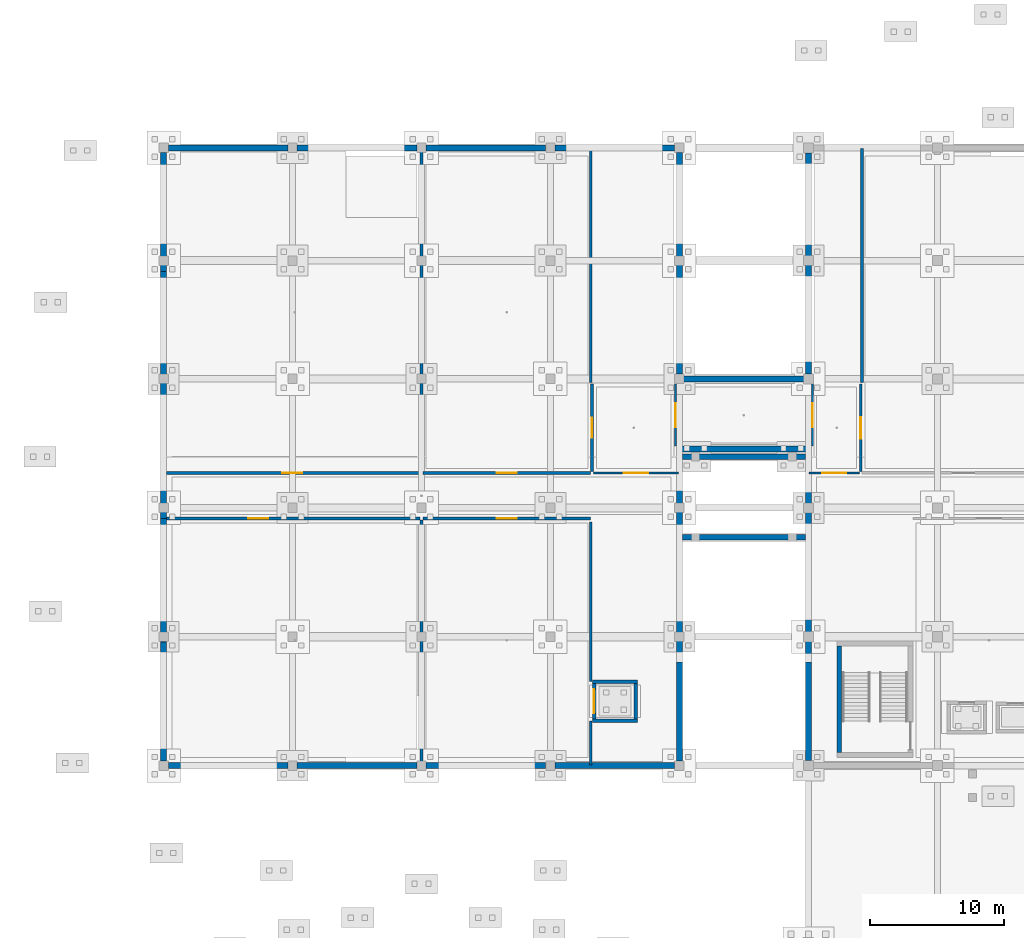
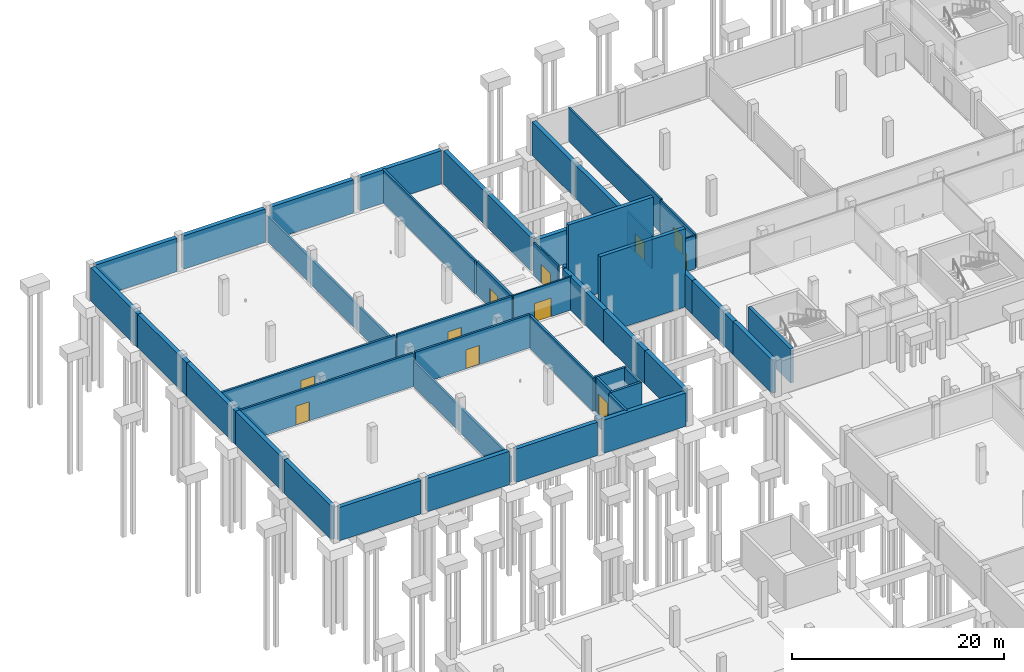
# One storey, part 15 of 31: 48 walls, 11 doors, 11 openings.
"""IFC4 building model written with IfcOpenShell, lengths in metres."""

from ifc_helpers import new_model, si_unit, direction, frame, frame_2d, origin, place, context, subcontext, project, spatial, rectangle, extrude, material, layer, layer_set, type_object, element, fill, save


model = new_model("IFC4")

# Units and contexts
model_context = context("Model", 3, precision=1e-05, world=origin(), true_north=direction((0.0, 1.0)))
body_context = subcontext(model_context, "Body", "Model", "MODEL_VIEW")
ifc_project = project(units=[si_unit("LENGTHUNIT", "METRE"), si_unit("AREAUNIT", "SQUARE_METRE"), si_unit("VOLUMEUNIT", "CUBIC_METRE"), si_unit("PLANEANGLEUNIT", "RADIAN"), si_unit("MASSUNIT", "GRAM", prefix="KILO")], contexts=[model_context])

# Site, building, storey
site_placement = place(None, origin())
site = spatial("IfcSite", under=ifc_project, at=site_placement, CompositionType="ELEMENT")
building_placement = place(site_placement, origin())
building = spatial("IfcBuilding", under=site, at=building_placement, Name="Chalmorin Arch Market", CompositionType="ELEMENT")
storey_placement = place(building_placement, frame((0.0, 0.0, -4.199951171875)))
storey = spatial("IfcBuildingStorey", under=building, at=storey_placement, Name="B1", CompositionType="ELEMENT", Elevation=-4.199951171875)

# Walls
ifc_material_1 = material(Name="Concrete C40/50", Category="concrete")
ifc_layer_1 = layer(ifc_material_1, 0.449951171875)
ifc_layer_set_1 = layer_set([ifc_layer_1], Name="Concrete C40/50")
wall_type_1 = type_object("IfcWallType", Name="BasementFloodwall-450", PredefinedType="SOLIDWALL", material=ifc_layer_set_1)
wall_1_placement = place(storey_placement, frame((0.35009765625, 72.0, 0.0), z_axis=(0.0, 0.0, 1.0), x_axis=(1.0, 0.0, 0.0)))
element("IfcWall", 1, at=wall_1_placement, inside=storey, type_object=wall_type_1, Name="BFW-450-029", PredefinedType="SOLIDWALL", context=body_context, shape_type="SweptSolid", body=[
    extrude(rectangle(XDim=8.89990234375, YDim=0.449951171875, at=frame_2d((4.449951171875, 0.0))), origin(), (0.0, 0.0, 1.0), 3.83984375),
])
wall_2_placement = place(storey_placement, frame((9.949951171875, 72.0, 0.0), z_axis=(0.0, 0.0, 1.0), x_axis=(1.0, 0.0, 0.0)))
element("IfcWall", 2, at=wall_2_placement, inside=storey, type_object=wall_type_1, Name="BFW-450-030", PredefinedType="SOLIDWALL", context=body_context, shape_type="SweptSolid", body=[
    extrude(rectangle(XDim=8.900146484375, YDim=0.449951171875, at=frame_2d((4.4501953125, 0.0))), origin(), (0.0, 0.0, 1.0), 3.83984375),
])
wall_3_placement = place(storey_placement, frame((19.550048828125, 72.0, 0.0), z_axis=(0.0, 0.0, 1.0), x_axis=(1.0, 0.0, 0.0)))
element("IfcWall", 3, at=wall_3_placement, inside=storey, type_object=wall_type_1, Name="BFW-450-031", PredefinedType="SOLIDWALL", context=body_context, shape_type="SweptSolid", body=[
    extrude(rectangle(XDim=8.89990234375, YDim=0.449951171875, at=frame_2d((4.449951171875, 0.0))), origin(), (0.0, 0.0, 1.0), 3.83984375),
])
wall_4_placement = place(storey_placement, frame((29.14990234375, 72.0, 0.0), z_axis=(0.0, 0.0, 1.0), x_axis=(1.0, 0.0, 0.0)))
element("IfcWall", 4, at=wall_4_placement, inside=storey, type_object=wall_type_1, Name="BFW-450-032", PredefinedType="SOLIDWALL", context=body_context, shape_type="SweptSolid", body=[
    extrude(rectangle(XDim=8.900146484375, YDim=0.449951171875, at=frame_2d((4.4501953125, 0.0))), origin(), (0.0, 0.0, 1.0), 3.83984375),
])
wall_5_placement = place(storey_placement, frame((38.39990234375, 72.35009765625, 0.0), z_axis=(0.0, 0.0, 1.0), x_axis=(0.0, 1.0, 0.0)))
element("IfcWall", 5, at=wall_5_placement, inside=storey, type_object=wall_type_1, Name="BFW-450-033", PredefinedType="SOLIDWALL", context=body_context, shape_type="SweptSolid", body=[
    extrude(rectangle(XDim=7.3828125, YDim=0.449951171875, at=frame_2d((3.69140625, 0.0))), origin(), (0.0, 0.0, 1.0), 3.83984375),
])
wall_6_placement = place(storey_placement, frame((38.39990234375, 79.73291015625, 0.0), z_axis=(0.0, 0.0, 1.0), x_axis=(0.0, 1.0, 0.0)))
element("IfcWall", 6, at=wall_6_placement, inside=storey, type_object=wall_type_1, Name="BFW-450-034", PredefinedType="SOLIDWALL", context=body_context, shape_type="SweptSolid", body=[
    extrude(rectangle(XDim=7.734130859375, YDim=0.449951171875, at=frame_2d((3.8671875, 0.0))), origin(), (0.0, 0.0, 1.0), 3.83984375),
])
wall_7_placement = place(storey_placement, frame((38.39990234375, 87.467041015625, 0.0), z_axis=(0.0, 0.0, 1.0), x_axis=(0.0, 1.0, 0.0)))
element("IfcWall", 7, at=wall_7_placement, inside=storey, type_object=wall_type_1, Name="BFW-450-035", PredefinedType="SOLIDWALL", context=body_context, shape_type="SweptSolid", body=[
    extrude(rectangle(XDim=7.73291015625, YDim=0.449951171875, at=frame_2d((3.866455078125, 0.0))), origin(), (0.0, 0.0, 1.0), 3.83984375),
])
for number, where, z_axis, x_axis, name in (
    (8, (38.39990234375, 101.14990234375, 0.0), (0.0, 0.0, 1.0), (0.0, 1.0, 0.0), "BFW-450-036"),
    (9, (38.39990234375, 109.39990234375, 0.0), (0.0, 0.0, 1.0), (0.0, 1.0, 0.0), "BFW-450-037"),
):
    element("IfcWall", number, at=place(storey_placement, frame(where, z_axis=z_axis, x_axis=x_axis)), inside=storey, type_object=wall_type_1, Name=name, PredefinedType="SOLIDWALL", context=body_context, shape_type="SweptSolid", body=[
        extrude(rectangle(XDim=8.25, YDim=0.449951171875, at=frame_2d((4.125, 0.0))), origin(), (0.0, 0.0, 1.0), 3.83984375),
    ])
wall_8_placement = place(storey_placement, frame((38.050048828125, 118.0, 0.0), z_axis=(0.0, 0.0, 1.0), x_axis=(-1.0, 0.0, 0.0)))
element("IfcWall", 10, at=wall_8_placement, inside=storey, type_object=wall_type_1, Name="BFW-450-038", PredefinedType="SOLIDWALL", context=body_context, shape_type="SweptSolid", body=[
    extrude(rectangle(XDim=8.900146484375, YDim=0.449951171875, at=frame_2d((4.4501953125, 0.0))), origin(), (0.0, 0.0, 1.0), 3.83984375),
])
wall_9_placement = place(storey_placement, frame((28.449951171875, 118.0, 0.0), z_axis=(0.0, 0.0, 1.0), x_axis=(-1.0, 0.0, 0.0)))
element("IfcWall", 11, at=wall_9_placement, inside=storey, type_object=wall_type_1, Name="BFW-450-039", PredefinedType="SOLIDWALL", context=body_context, shape_type="SweptSolid", body=[
    extrude(rectangle(XDim=8.89990234375, YDim=0.449951171875, at=frame_2d((4.449951171875, 0.0))), origin(), (0.0, 0.0, 1.0), 3.83984375),
])
wall_10_placement = place(storey_placement, frame((18.85009765625, 118.0, 0.0), z_axis=(0.0, 0.0, 1.0), x_axis=(-1.0, 0.0, 0.0)))
element("IfcWall", 12, at=wall_10_placement, inside=storey, type_object=wall_type_1, Name="BFW-450-040", PredefinedType="SOLIDWALL", context=body_context, shape_type="SweptSolid", body=[
    extrude(rectangle(XDim=8.900146484375, YDim=0.449951171875, at=frame_2d((4.4501953125, 0.0))), origin(), (0.0, 0.0, 1.0), 3.83984375),
])
wall_11_placement = place(storey_placement, frame((9.25, 118.0, 0.0), z_axis=(0.0, 0.0, 1.0), x_axis=(-1.0, 0.0, 0.0)))
element("IfcWall", 13, at=wall_11_placement, inside=storey, type_object=wall_type_1, Name="BFW-450-041", PredefinedType="SOLIDWALL", context=body_context, shape_type="SweptSolid", body=[
    extrude(rectangle(XDim=8.89990234375, YDim=0.449951171875, at=frame_2d((4.449951171875, 0.0))), origin(), (0.0, 0.0, 1.0), 3.83984375),
])
wall_12_placement = place(storey_placement, frame((0.0, 117.64990234375, 0.0), z_axis=(0.0, 0.0, 1.0), x_axis=(0.0, -1.0, 0.0)))
element("IfcWall", 14, at=wall_12_placement, inside=storey, type_object=wall_type_1, Name="BFW-450-042", PredefinedType="SOLIDWALL", context=body_context, shape_type="SweptSolid", body=[
    extrude(rectangle(XDim=8.849853515625, YDim=0.449951171875, at=frame_2d((4.4248046875, 0.0))), origin(), (0.0, 0.0, 1.0), 3.83984375),
])
wall_13_placement = place(storey_placement, frame((0.0, 108.800048828125, 0.0), z_axis=(0.0, 0.0, 1.0), x_axis=(0.0, -1.0, 0.0)))
element("IfcWall", 15, at=wall_13_placement, inside=storey, type_object=wall_type_1, Name="BFW-450-043", PredefinedType="SOLIDWALL", context=body_context, shape_type="SweptSolid", body=[
    extrude(rectangle(XDim=9.199951171875, YDim=0.449951171875, at=frame_2d((4.60009765625, 0.0))), origin(), (0.0, 0.0, 1.0), 3.83984375),
])
wall_14_placement = place(storey_placement, frame((0.0, 99.60009765625, 0.0), z_axis=(0.0, 0.0, 1.0), x_axis=(0.0, -1.0, 0.0)))
element("IfcWall", 16, at=wall_14_placement, inside=storey, type_object=wall_type_1, Name="BFW-450-044", PredefinedType="SOLIDWALL", context=body_context, shape_type="SweptSolid", body=[
    extrude(rectangle(XDim=9.2001953125, YDim=0.449951171875, at=frame_2d((4.60009765625, 0.0))), origin(), (0.0, 0.0, 1.0), 3.83984375),
])
wall_15_placement = place(storey_placement, frame((0.0, 90.39990234375, 0.0), z_axis=(0.0, 0.0, 1.0), x_axis=(0.0, -1.0, 0.0)))
element("IfcWall", 17, at=wall_15_placement, inside=storey, type_object=wall_type_1, Name="BFW-450-045", PredefinedType="SOLIDWALL", context=body_context, shape_type="SweptSolid", body=[
    extrude(rectangle(XDim=9.199951171875, YDim=0.449951171875, at=frame_2d((4.60009765625, 0.0))), origin(), (0.0, 0.0, 1.0), 3.83984375),
])
wall_16_placement = place(storey_placement, frame((0.0, 81.199951171875, 0.0), z_axis=(0.0, 0.0, 1.0), x_axis=(0.0, -1.0, 0.0)))
element("IfcWall", 18, at=wall_16_placement, inside=storey, type_object=wall_type_1, Name="BFW-450-046", PredefinedType="SOLIDWALL", context=body_context, shape_type="SweptSolid", body=[
    extrude(rectangle(XDim=8.849853515625, YDim=0.449951171875, at=frame_2d((4.4248046875, 0.0))), origin(), (0.0, 0.0, 1.0), 3.83984375),
])
wall_17_placement = place(storey_placement, frame((48.0, 117.625, 0.0), z_axis=(0.0, 0.0, 1.0), x_axis=(0.0, -1.0, 0.0)))
element("IfcWall", 19, at=wall_17_placement, inside=storey, type_object=wall_type_1, Name="BFW-450-066", PredefinedType="SOLIDWALL", context=body_context, shape_type="SweptSolid", body=[
    extrude(rectangle(XDim=8.22509765625, YDim=0.449951171875, at=frame_2d((4.112548828125, 0.0))), origin(), (0.0, 0.0, 1.0), 3.83984375),
])
wall_18_placement = place(storey_placement, frame((48.0, 109.39990234375, 0.0), z_axis=(0.0, 0.0, 1.0), x_axis=(0.0, -1.0, 0.0)))
element("IfcWall", 20, at=wall_18_placement, inside=storey, type_object=wall_type_1, Name="BFW-450-067", PredefinedType="SOLIDWALL", context=body_context, shape_type="SweptSolid", body=[
    extrude(rectangle(XDim=8.224853515625, YDim=0.449951171875, at=frame_2d((4.1123046875, 0.0))), origin(), (0.0, 0.0, 1.0), 3.83984375),
])
wall_19_placement = place(storey_placement, frame((48.0, 95.199951171875, 0.0), z_axis=(0.0, 0.0, 1.0), x_axis=(0.0, -1.0, 0.0)))
element("IfcWall", 21, at=wall_19_placement, inside=storey, type_object=wall_type_1, Name="BFW-450-068", PredefinedType="SOLIDWALL", context=body_context, shape_type="SweptSolid", body=[
    extrude(rectangle(XDim=7.73291015625, YDim=0.449951171875, at=frame_2d((3.866455078125, 0.0))), origin(), (0.0, 0.0, 1.0), 3.83984375),
])
wall_20_placement = place(storey_placement, frame((48.0, 87.467041015625, 0.0), z_axis=(0.0, 0.0, 1.0), x_axis=(0.0, -1.0, 0.0)))
element("IfcWall", 22, at=wall_20_placement, inside=storey, type_object=wall_type_1, Name="BFW-450-069", PredefinedType="SOLIDWALL", context=body_context, shape_type="SweptSolid", body=[
    extrude(rectangle(XDim=7.734130859375, YDim=0.449951171875, at=frame_2d((3.8671875, 0.0))), origin(), (0.0, 0.0, 1.0), 3.83984375),
])
wall_21_placement = place(storey_placement, frame((48.0, 79.73291015625, 0.0), z_axis=(0.0, 0.0, 1.0), x_axis=(0.0, -1.0, 0.0)))
element("IfcWall", 23, at=wall_21_placement, inside=storey, type_object=wall_type_1, Name="BFW-450-070", PredefinedType="SOLIDWALL", context=body_context, shape_type="SweptSolid", body=[
    extrude(rectangle(XDim=7.35791015625, YDim=0.449951171875, at=frame_2d((3.678955078125, 0.0))), origin(), (0.0, 0.0, 1.0), 3.83984375),
])
for number, where, z_axis, x_axis, name in (
    (24, (38.5, 95.580078125, 0.0), (0.0, 0.0, 1.0), (1.0, 0.0, 0.0), "BFW-450-071"),
    (25, (38.5, 100.800048828125, 0.0), (0.0, 0.0, 1.0), (1.0, 0.0, 0.0), "BFW-450-072"),
):
    element("IfcWall", number, at=place(storey_placement, frame(where, z_axis=z_axis, x_axis=x_axis)), inside=storey, type_object=wall_type_1, Name=name, PredefinedType="SOLIDWALL", context=body_context, shape_type="SweptSolid", body=[
        extrude(rectangle(XDim=9.39990234375, YDim=0.449951171875, at=frame_2d((4.699951171875, 0.0))), origin(), (0.0, 0.0, 1.0), 3.83984375),
    ])
for number, where, z_axis, x_axis, name in (
    (26, (38.574951171875, 89.0, 0.0), (0.0, 0.0, 1.0), (1.0, 0.0, 0.0), "FTW-400-211"),
    (27, (38.574951171875, 95.0, 0.0), (0.0, 0.0, 1.0), (1.0, 0.0, 0.0), "FTW-400-212"),
):
    element("IfcWall", number, at=place(storey_placement, frame(where, z_axis=z_axis, x_axis=x_axis)), inside=storey, type_object=wall_type_1, Name=name, PredefinedType="SOLIDWALL", context=body_context, shape_type="SweptSolid", body=[
        extrude(rectangle(XDim=9.25, YDim=0.39990234375, at=frame_2d((4.625, 0.0))), origin(), (0.0, 0.0, 1.0), 9.0),
    ])
ifc_material_2 = material(Name="Galvanised Steel", Category="steel")
ifc_layer_2 = layer(ifc_material_2, 0.219970703125)
ifc_layer_set_2 = layer_set([ifc_layer_2], Name="Galvanised Steel")
wall_type_2 = type_object("IfcWallType", Name="ColdStoreInsulatedWall-220", PredefinedType="PARTITIONING", material=ifc_layer_set_2)
wall_22_placement = place(storey_placement, frame((19.199951171875, 72.050048828125, 0.0), z_axis=(0.0, 0.0, 1.0), x_axis=(0.0, 1.0, 0.0)))
element("IfcWall", 28, at=wall_22_placement, inside=storey, type_object=wall_type_2, Name="CIW-220-314", PredefinedType="PARTITIONING", context=body_context, shape_type="SweptSolid", body=[
    extrude(rectangle(XDim=18.25, YDim=0.219970703125, at=frame_2d((9.125, 0.0))), origin(), (0.0, 0.0, 1.0), 2.951904296875),
])

# Wall, opening, door
wall_23_placement = place(storey_placement, frame((0.050048828125, 90.39990234375, 0.0), z_axis=(0.0, 0.0, 1.0), x_axis=(1.0, 0.0, 0.0)))
wall_23 = element("IfcWall", 29, at=wall_23_placement, inside=storey, type_object=wall_type_2, Name="CIW-220-315", PredefinedType="PARTITIONING", context=body_context, shape_type="SweptSolid", body=[
    extrude(rectangle(XDim=19.050048828125, YDim=0.219970703125, at=frame_2d((9.52490234375, 0.0))), origin(), (0.0, 0.0, 1.0), 3.83984375),
])
opening_1_placement = place(wall_23_placement, frame((6.2509765625, 0.0, 0.0)))
opening_1 = element("IfcOpeningElement", 30, at=opening_1_placement, cuts=wall_23, Name="Opening ID-066", PredefinedType="OPENING", context=body_context, shape_type="SweptSolid", body=[
    extrude(rectangle(XDim=1.5, YDim=2.199951171875, at=frame_2d((0.75, 1.10009765625))), frame((0.0, 0.119873046875, 0.0), z_axis=(0.0, -1.0, 0.0), x_axis=(1.0, 0.0, 0.0)), (0.0, 0.0, 1.0), 0.239990234375),
])
ifc_material_3 = material(Name="Stainless Steel 316", Category="steel")
door_type_1 = type_object("IfcDoorType", Name="ColdStoreSlidingDoor-1500x2200", OperationType="SLIDING_TO_RIGHT", PredefinedType="DOOR", material=ifc_material_3)
door_1_placement = place(opening_1_placement, origin())
door_1 = element("IfcDoor", 31, at=door_1_placement, inside=storey, type_object=door_type_1, Name="ID-066", OperationType="SLIDING_TO_RIGHT", OverallHeight=2.199951171875, OverallWidth=1.5, PredefinedType="DOOR", context=body_context, shape_type="SweptSolid", body=[
    extrude(rectangle(XDim=1.5, YDim=2.199951171875, at=frame_2d((0.75, 1.10009765625))), frame((0.0, 0.02490234375, 0.0), z_axis=(0.0, -1.0, 0.0), x_axis=(1.0, 0.0, 0.0)), (0.0, 0.0, 1.0), 0.050048828125),
])
fill(opening_1, door_1)

wall_24_placement = place(storey_placement, frame((19.300048828125, 90.39990234375, 0.0), z_axis=(0.0, 0.0, 1.0), x_axis=(1.0, 0.0, 0.0)))
wall_24 = element("IfcWall", 32, at=wall_24_placement, inside=storey, type_object=wall_type_2, Name="CIW-220-316", PredefinedType="PARTITIONING", context=body_context, shape_type="SweptSolid", body=[
    extrude(rectangle(XDim=12.5, YDim=0.219970703125, at=frame_2d((6.25, 0.0))), origin(), (0.0, 0.0, 1.0), 3.83984375),
])
opening_2_placement = place(wall_24_placement, frame((5.5, 0.0, 0.0)))
opening_2 = element("IfcOpeningElement", 33, at=opening_2_placement, cuts=wall_24, Name="Opening ID-067", PredefinedType="OPENING", context=body_context, shape_type="SweptSolid", body=[
    extrude(rectangle(XDim=1.5, YDim=2.199951171875, at=frame_2d((0.75, 1.10009765625))), frame((0.0, 0.119873046875, 0.0), z_axis=(0.0, -1.0, 0.0), x_axis=(1.0, 0.0, 0.0)), (0.0, 0.0, 1.0), 0.239990234375),
])
door_2_placement = place(opening_2_placement, origin())
door_2 = element("IfcDoor", 34, at=door_2_placement, inside=storey, type_object=door_type_1, Name="ID-067", OperationType="SLIDING_TO_RIGHT", OverallHeight=2.199951171875, OverallWidth=1.5, PredefinedType="DOOR", context=body_context, shape_type="SweptSolid", body=[
    extrude(rectangle(XDim=1.5, YDim=2.199951171875, at=frame_2d((0.75, 1.10009765625))), frame((0.0, 0.02490234375, 0.0), z_axis=(0.0, -1.0, 0.0), x_axis=(1.0, 0.0, 0.0)), (0.0, 0.0, 1.0), 0.050048828125),
])
fill(opening_2, door_2)

# Wall
wall_25_placement = place(storey_placement, frame((19.199951171875, 93.89990234375, 0.0), z_axis=(0.0, 0.0, 1.0), x_axis=(0.0, 1.0, 0.0)))
element("IfcWall", 35, at=wall_25_placement, inside=storey, type_object=wall_type_2, Name="CIW-220-317", PredefinedType="PARTITIONING", context=body_context, shape_type="SweptSolid", body=[
    extrude(rectangle(XDim=24.050048828125, YDim=0.219970703125, at=frame_2d((12.02490234375, 0.0))), origin(), (0.0, 0.0, 1.0), 2.951904296875),
])

# Wall, opening, door
wall_26_placement = place(storey_placement, frame((0.050048828125, 93.800048828125, 0.0), z_axis=(0.0, 0.0, 1.0), x_axis=(1.0, 0.0, 0.0)))
wall_26 = element("IfcWall", 36, at=wall_26_placement, inside=storey, type_object=wall_type_2, Name="CIW-220-318", PredefinedType="PARTITIONING", context=body_context, shape_type="SweptSolid", body=[
    extrude(rectangle(XDim=19.050048828125, YDim=0.219970703125, at=frame_2d((9.52490234375, 0.0))), origin(), (0.0, 0.0, 1.0), 3.83984375),
])
opening_3_placement = place(wall_26_placement, frame((8.77490234375, 0.0, 0.0)))
opening_3 = element("IfcOpeningElement", 37, at=opening_3_placement, cuts=wall_26, Name="Opening ID-068", PredefinedType="OPENING", context=body_context, shape_type="SweptSolid", body=[
    extrude(rectangle(XDim=1.5, YDim=2.199951171875, at=frame_2d((0.75, 1.10009765625))), frame((0.0, 0.119873046875, 0.0), z_axis=(0.0, -1.0, 0.0), x_axis=(1.0, 0.0, 0.0)), (0.0, 0.0, 1.0), 0.239990234375),
])
door_3_placement = place(opening_3_placement, origin())
door_3 = element("IfcDoor", 38, at=door_3_placement, inside=storey, type_object=door_type_1, Name="ID-068", OperationType="SLIDING_TO_RIGHT", OverallHeight=2.199951171875, OverallWidth=1.5, PredefinedType="DOOR", context=body_context, shape_type="SweptSolid", body=[
    extrude(rectangle(XDim=1.5, YDim=2.199951171875, at=frame_2d((0.75, 1.10009765625))), frame((0.0, 0.02490234375, 0.0), z_axis=(0.0, -1.0, 0.0), x_axis=(1.0, 0.0, 0.0)), (0.0, 0.0, 1.0), 0.050048828125),
])
fill(opening_3, door_3)

wall_27_placement = place(storey_placement, frame((19.300048828125, 93.800048828125, 0.0), z_axis=(0.0, 0.0, 1.0), x_axis=(1.0, 0.0, 0.0)))
wall_27 = element("IfcWall", 39, at=wall_27_placement, inside=storey, type_object=wall_type_2, Name="CIW-220-319", PredefinedType="PARTITIONING", context=body_context, shape_type="SweptSolid", body=[
    extrude(rectangle(XDim=12.5, YDim=0.219970703125, at=frame_2d((6.25, 0.0))), origin(), (0.0, 0.0, 1.0), 3.83984375),
])
opening_4_placement = place(wall_27_placement, frame((5.5, 0.0, 0.0)))
opening_4 = element("IfcOpeningElement", 40, at=opening_4_placement, cuts=wall_27, Name="Opening ID-069", PredefinedType="OPENING", context=body_context, shape_type="SweptSolid", body=[
    extrude(rectangle(XDim=1.5, YDim=2.199951171875, at=frame_2d((0.75, 1.10009765625))), frame((0.0, 0.119873046875, 0.0), z_axis=(0.0, -1.0, 0.0), x_axis=(1.0, 0.0, 0.0)), (0.0, 0.0, 1.0), 0.239990234375),
])
door_4_placement = place(opening_4_placement, origin())
door_4 = element("IfcDoor", 41, at=door_4_placement, inside=storey, type_object=door_type_1, Name="ID-069", OperationType="SLIDING_TO_RIGHT", OverallHeight=2.199951171875, OverallWidth=1.5, PredefinedType="DOOR", context=body_context, shape_type="SweptSolid", body=[
    extrude(rectangle(XDim=1.5, YDim=2.199951171875, at=frame_2d((0.75, 1.10009765625))), frame((0.0, 0.02490234375, 0.0), z_axis=(0.0, -1.0, 0.0), x_axis=(1.0, 0.0, 0.0)), (0.0, 0.0, 1.0), 0.050048828125),
])
fill(opening_4, door_4)

wall_28_placement = place(storey_placement, frame((31.89990234375, 93.89990234375, 0.0), z_axis=(0.0, 0.0, 1.0), x_axis=(0.0, 1.0, 0.0)))
wall_28 = element("IfcWall", 42, at=wall_28_placement, inside=storey, type_object=wall_type_2, Name="CIW-220-320", PredefinedType="PARTITIONING", context=body_context, shape_type="SweptSolid", body=[
    extrude(rectangle(XDim=6.5, YDim=0.219970703125, at=frame_2d((3.25, 0.0))), origin(), (0.0, 0.0, 1.0), 3.83984375),
])
opening_5_placement = place(wall_28_placement, frame((2.5, 0.0, 0.0)))
opening_5 = element("IfcOpeningElement", 43, at=opening_5_placement, cuts=wall_28, Name="Opening ID-070", PredefinedType="OPENING", context=body_context, shape_type="SweptSolid", body=[
    extrude(rectangle(XDim=1.5, YDim=2.199951171875, at=frame_2d((0.75, 1.10009765625))), frame((0.0, 0.119873046875, 0.0), z_axis=(0.0, -1.0, 0.0), x_axis=(1.0, 0.0, 0.0)), (0.0, 0.0, 1.0), 0.239990234375),
])
door_5_placement = place(opening_5_placement, origin())
door_5 = element("IfcDoor", 44, at=door_5_placement, inside=storey, type_object=door_type_1, Name="ID-070", OperationType="SLIDING_TO_RIGHT", OverallHeight=2.199951171875, OverallWidth=1.5, PredefinedType="DOOR", context=body_context, shape_type="SweptSolid", body=[
    extrude(rectangle(XDim=1.5, YDim=2.199951171875, at=frame_2d((0.75, 1.10009765625))), frame((0.0, 0.02490234375, 0.0), z_axis=(0.0, -1.0, 0.0), x_axis=(1.0, 0.0, 0.0)), (0.0, 0.0, 1.0), 0.050048828125),
])
fill(opening_5, door_5)

# Walls
wall_29_placement = place(storey_placement, frame((31.800048828125, 72.050048828125, 0.0), z_axis=(0.0, 0.0, 1.0), x_axis=(0.0, 1.0, 0.0)))
element("IfcWall", 45, at=wall_29_placement, inside=storey, type_object=wall_type_2, Name="CIW-220-360", PredefinedType="PARTITIONING", context=body_context, shape_type="SweptSolid", body=[
    extrude(rectangle(XDim=3.284912109375, YDim=0.219970703125, at=frame_2d((1.642578125, 0.0))), origin(), (0.0, 0.0, 1.0), 3.83984375),
])
wall_30_placement = place(storey_placement, frame((31.800048828125, 78.264892578125, 0.0), z_axis=(0.0, 0.0, 1.0), x_axis=(0.0, 1.0, 0.0)))
element("IfcWall", 46, at=wall_30_placement, inside=storey, type_object=wall_type_2, Name="CIW-220-361", PredefinedType="PARTITIONING", context=body_context, shape_type="SweptSolid", body=[
    extrude(rectangle(XDim=11.89501953125, YDim=0.219970703125, at=frame_2d((5.947509765625, 0.0))), origin(), (0.0, 0.0, 1.0), 3.83984375),
])
wall_31_placement = place(storey_placement, frame((31.800048828125, 100.5400390625, 0.0), z_axis=(0.0, 0.0, 1.0), x_axis=(0.0, 1.0, 0.0)))
element("IfcWall", 47, at=wall_31_placement, inside=storey, type_object=wall_type_2, Name="CIW-220-362", PredefinedType="PARTITIONING", context=body_context, shape_type="SweptSolid", body=[
    extrude(rectangle(XDim=17.409912109375, YDim=0.219970703125, at=frame_2d((8.705078125, 0.0))), origin(), (0.0, 0.0, 1.0), 3.83984375),
])
ifc_layer_3 = layer(ifc_material_1, 0.35009765625)
ifc_layer_set_3 = layer_set([ifc_layer_3], Name="Concrete C40/50")
wall_type_3 = type_object("IfcWallType", Name="CoreShearWall-350", PredefinedType="SHEAR", material=ifc_layer_set_3)
wall_32_placement = place(storey_placement, frame((50.300048828125, 72.97509765625, 0.0), z_axis=(0.0, 0.0, 1.0), x_axis=(0.0, 1.0, 0.0)))
element("IfcWall", 48, at=wall_32_placement, inside=storey, type_object=wall_type_3, Name="CSW-350-067", PredefinedType="SHEAR", context=body_context, shape_type="SweptSolid", body=[
    extrude(rectangle(XDim=7.949951171875, YDim=0.35009765625, at=frame_2d((3.97509765625, 0.0))), origin(), (0.0, 0.0, 1.0), 3.949951171875),
])

# Wall, opening, door
ifc_material_4 = material(Name="Gypsum Board Partition")
ifc_layer_4 = layer(ifc_material_4, 0.159912109375)
ifc_layer_set_4 = layer_set([ifc_layer_4], Name="Gypsum Board Partition")
wall_type_4 = type_object("IfcWallType", Name="CorridorRatedPartition-160", PredefinedType="PARTITIONING", material=ifc_layer_set_4)
wall_33_placement = place(storey_placement, frame((32.0, 93.800048828125, 0.0), z_axis=(0.0, 0.0, 1.0), x_axis=(1.0, 0.0, 0.0)))
wall_33 = element("IfcWall", 49, at=wall_33_placement, inside=storey, type_object=wall_type_4, Name="CRP-160-321", PredefinedType="PARTITIONING", context=body_context, shape_type="SweptSolid", body=[
    extrude(rectangle(XDim=6.35009765625, YDim=0.159912109375, at=frame_2d((3.175048828125, 0.0))), origin(), (0.0, 0.0, 1.0), 3.83984375),
])
opening_6_placement = place(wall_33_placement, frame((2.27490234375, 0.0, 0.0)))
opening_6 = element("IfcOpeningElement", 50, at=opening_6_placement, cuts=wall_33, Name="Opening ID-071", PredefinedType="OPENING", context=body_context, shape_type="SweptSolid", body=[
    extrude(rectangle(XDim=1.800048828125, YDim=2.14990234375, at=frame_2d((0.89990234375, 1.074951171875))), frame((0.0, 0.08984375, 0.0), z_axis=(0.0, -1.0, 0.0), x_axis=(1.0, 0.0, 0.0)), (0.0, 0.0, 1.0), 0.179931640625),
])
door_type_2 = type_object("IfcDoorType", Name="CorridorFireDoubleDoor-1800x2150", OperationType="DOUBLE_DOOR_SINGLE_SWING", PredefinedType="DOOR", material=ifc_material_2)
door_6_placement = place(opening_6_placement, origin())
door_6 = element("IfcDoor", 51, at=door_6_placement, inside=storey, type_object=door_type_2, Name="ID-071", OperationType="DOUBLE_DOOR_SINGLE_SWING", OverallHeight=2.14990234375, OverallWidth=1.800048828125, PredefinedType="DOOR", context=body_context, shape_type="SweptSolid", body=[
    extrude(rectangle(XDim=1.800048828125, YDim=2.14990234375, at=frame_2d((0.89990234375, 1.074951171875))), frame((0.0, 0.02490234375, 0.0), z_axis=(0.0, -1.0, 0.0), x_axis=(1.0, 0.0, 0.0)), (0.0, 0.0, 1.0), 0.050048828125),
])
fill(opening_6, door_6)

wall_34_placement = place(storey_placement, frame((38.10009765625, 95.800048828125, 0.0), z_axis=(0.0, 0.0, 1.0), x_axis=(0.0, 1.0, 0.0)))
wall_34 = element("IfcWall", 52, at=wall_34_placement, inside=storey, type_object=wall_type_4, Name="CRP-160-322", PredefinedType="PARTITIONING", context=body_context, shape_type="SweptSolid", body=[
    extrude(rectangle(XDim=4.599853515625, YDim=0.159912109375, at=frame_2d((2.2998046875, 0.0))), origin(), (0.0, 0.0, 1.0), 3.83984375),
])
opening_7_placement = place(wall_34_placement, frame((1.39990234375, 0.0, 0.0)))
opening_7 = element("IfcOpeningElement", 53, at=opening_7_placement, cuts=wall_34, Name="Opening ID-072", PredefinedType="OPENING", context=body_context, shape_type="SweptSolid", body=[
    extrude(rectangle(XDim=1.800048828125, YDim=2.14990234375, at=frame_2d((0.89990234375, 1.074951171875))), frame((0.0, 0.08984375, 0.0), z_axis=(0.0, -1.0, 0.0), x_axis=(1.0, 0.0, 0.0)), (0.0, 0.0, 1.0), 0.179931640625),
])
door_7_placement = place(opening_7_placement, origin())
door_7 = element("IfcDoor", 54, at=door_7_placement, inside=storey, type_object=door_type_2, Name="ID-072", OperationType="DOUBLE_DOOR_SINGLE_SWING", OverallHeight=2.14990234375, OverallWidth=1.800048828125, PredefinedType="DOOR", context=body_context, shape_type="SweptSolid", body=[
    extrude(rectangle(XDim=1.800048828125, YDim=2.14990234375, at=frame_2d((0.89990234375, 1.074951171875))), frame((0.0, 0.02490234375, 0.0), z_axis=(0.0, -1.0, 0.0), x_axis=(1.0, 0.0, 0.0)), (0.0, 0.0, 1.0), 0.050048828125),
])
fill(opening_7, door_7)

wall_35_placement = place(storey_placement, frame((48.300048828125, 95.800048828125, 0.0), z_axis=(0.0, 0.0, 1.0), x_axis=(0.0, 1.0, 0.0)))
wall_35 = element("IfcWall", 55, at=wall_35_placement, inside=storey, type_object=wall_type_4, Name="CRP-160-323", PredefinedType="PARTITIONING", context=body_context, shape_type="SweptSolid", body=[
    extrude(rectangle(XDim=4.599853515625, YDim=0.159912109375, at=frame_2d((2.2998046875, 0.0))), origin(), (0.0, 0.0, 1.0), 3.83984375),
])
opening_8_placement = place(wall_35_placement, frame((1.39990234375, 0.0, 0.0)))
opening_8 = element("IfcOpeningElement", 56, at=opening_8_placement, cuts=wall_35, Name="Opening ID-073", PredefinedType="OPENING", context=body_context, shape_type="SweptSolid", body=[
    extrude(rectangle(XDim=1.800048828125, YDim=2.14990234375, at=frame_2d((0.89990234375, 1.074951171875))), frame((0.0, 0.08984375, 0.0), z_axis=(0.0, -1.0, 0.0), x_axis=(1.0, 0.0, 0.0)), (0.0, 0.0, 1.0), 0.179931640625),
])
door_8_placement = place(opening_8_placement, origin())
door_8 = element("IfcDoor", 57, at=door_8_placement, inside=storey, type_object=door_type_2, Name="ID-073", OperationType="DOUBLE_DOOR_SINGLE_SWING", OverallHeight=2.14990234375, OverallWidth=1.800048828125, PredefinedType="DOOR", context=body_context, shape_type="SweptSolid", body=[
    extrude(rectangle(XDim=1.800048828125, YDim=2.14990234375, at=frame_2d((0.89990234375, 1.074951171875))), frame((0.0, 0.02490234375, 0.0), z_axis=(0.0, -1.0, 0.0), x_axis=(1.0, 0.0, 0.0)), (0.0, 0.0, 1.0), 0.050048828125),
])
fill(opening_8, door_8)

wall_36_placement = place(storey_placement, frame((48.050048828125, 93.800048828125, 0.0), z_axis=(0.0, 0.0, 1.0), x_axis=(1.0, 0.0, 0.0)))
wall_36 = element("IfcWall", 58, at=wall_36_placement, inside=storey, type_object=wall_type_4, Name="CRP-160-324", PredefinedType="PARTITIONING", context=body_context, shape_type="SweptSolid", body=[
    extrude(rectangle(XDim=3.75, YDim=0.159912109375, at=frame_2d((1.875, 0.0))), origin(), (0.0, 0.0, 1.0), 3.83984375),
])
opening_9_placement = place(wall_36_placement, frame((0.97509765625, 0.0, 0.0)))
opening_9 = element("IfcOpeningElement", 59, at=opening_9_placement, cuts=wall_36, Name="Opening ID-074", PredefinedType="OPENING", context=body_context, shape_type="SweptSolid", body=[
    extrude(rectangle(XDim=1.800048828125, YDim=2.14990234375, at=frame_2d((0.89990234375, 1.074951171875))), frame((0.0, 0.08984375, 0.0), z_axis=(0.0, -1.0, 0.0), x_axis=(1.0, 0.0, 0.0)), (0.0, 0.0, 1.0), 0.179931640625),
])
door_9_placement = place(opening_9_placement, origin())
door_9 = element("IfcDoor", 60, at=door_9_placement, inside=storey, type_object=door_type_2, Name="ID-074", OperationType="DOUBLE_DOOR_SINGLE_SWING", OverallHeight=2.14990234375, OverallWidth=1.800048828125, PredefinedType="DOOR", context=body_context, shape_type="SweptSolid", body=[
    extrude(rectangle(XDim=1.800048828125, YDim=2.14990234375, at=frame_2d((0.89990234375, 1.074951171875))), frame((0.0, 0.02490234375, 0.0), z_axis=(0.0, -1.0, 0.0), x_axis=(1.0, 0.0, 0.0)), (0.0, 0.0, 1.0), 0.050048828125),
])
fill(opening_9, door_9)

ifc_material_5 = material(Name="Concrete C30/37", Category="concrete")
ifc_layer_5 = layer(ifc_material_5, 0.199951171875)
ifc_layer_set_5 = layer_set([ifc_layer_5], Name="Concrete C30/37")
wall_type_5 = type_object("IfcWallType", Name="FireCompartmentWall-200", PredefinedType="PARTITIONING", material=ifc_layer_set_5)
wall_37_placement = place(storey_placement, frame((51.89990234375, 93.89990234375, 0.0), z_axis=(0.0, 0.0, 1.0), x_axis=(0.0, 1.0, 0.0)))
wall_37 = element("IfcWall", 61, at=wall_37_placement, inside=storey, type_object=wall_type_5, Name="FCW-200-325", PredefinedType="PARTITIONING", context=body_context, shape_type="SweptSolid", body=[
    extrude(rectangle(XDim=6.5, YDim=0.199951171875, at=frame_2d((3.25, 0.0))), origin(), (0.0, 0.0, 1.0), 3.83984375),
])
opening_10_placement = place(wall_37_placement, frame((2.449951171875, 0.0, 0.0)))
opening_10 = element("IfcOpeningElement", 62, at=opening_10_placement, cuts=wall_37, Name="Opening ID-075", PredefinedType="OPENING", context=body_context, shape_type="SweptSolid", body=[
    extrude(rectangle(XDim=1.60009765625, YDim=2.199951171875, at=frame_2d((0.800048828125, 1.10009765625))), frame((0.0, 0.10986328125, 0.0), z_axis=(0.0, -1.0, 0.0), x_axis=(1.0, 0.0, 0.0)), (0.0, 0.0, 1.0), 0.219970703125),
])
door_type_3 = type_object("IfcDoorType", Name="PlantRoomDoubleSteelDoor-1600x2200", OperationType="DOUBLE_DOOR_SINGLE_SWING", PredefinedType="DOOR", material=ifc_material_2)
door_10_placement = place(opening_10_placement, origin())
door_10 = element("IfcDoor", 63, at=door_10_placement, inside=storey, type_object=door_type_3, Name="ID-075", OperationType="DOUBLE_DOOR_SINGLE_SWING", OverallHeight=2.199951171875, OverallWidth=1.60009765625, PredefinedType="DOOR", context=body_context, shape_type="SweptSolid", body=[
    extrude(rectangle(XDim=1.60009765625, YDim=2.199951171875, at=frame_2d((0.800048828125, 1.10009765625))), frame((0.0, 0.02490234375, 0.0), z_axis=(0.0, -1.0, 0.0), x_axis=(1.0, 0.0, 0.0)), (0.0, 0.0, 1.0), 0.050048828125),
])
fill(opening_10, door_10)

# Walls
wall_38_placement = place(storey_placement, frame((52.0, 100.5400390625, 0.0), z_axis=(0.0, 0.0, 1.0), x_axis=(0.0, 1.0, 0.0)))
element("IfcWall", 64, at=wall_38_placement, inside=storey, type_object=wall_type_5, Name="FCW-200-369", PredefinedType="PARTITIONING", context=body_context, shape_type="SweptSolid", body=[
    extrude(rectangle(XDim=17.409912109375, YDim=0.199951171875, at=frame_2d((8.705078125, 0.0))), origin(), (0.0, 0.0, 1.0), 3.83984375),
])
ifc_material_6 = material(Name="Concrete C35/45", Category="concrete")
ifc_layer_6 = layer(ifc_material_6, 0.25)
ifc_layer_set_6 = layer_set([ifc_layer_6], Name="Concrete C35/45")
wall_type_6 = type_object("IfcWallType", Name="ShaftEnclosureWall-250", PredefinedType="SOLIDWALL", material=ifc_layer_set_6)
for number, where, z_axis, x_axis, name in (
    (65, (35.27490234375, 75.35009765625, -1.5), (0.0, 0.0, 1.0), (-1.0, 0.0, 0.0), "SEW-250-282"),
    (66, (31.925048828125, 78.25, -1.5), (0.0, 0.0, 1.0), (1.0, 0.0, 0.0), "SEW-250-283"),
):
    element("IfcWall", number, at=place(storey_placement, frame(where, z_axis=z_axis, x_axis=x_axis)), inside=storey, type_object=wall_type_6, Name=name, PredefinedType="SOLIDWALL", context=body_context, shape_type="SweptSolid", body=[
        extrude(rectangle(XDim=3.349853515625, YDim=0.25, at=frame_2d((1.6748046875, 0.0))), origin(), (0.0, 0.0, 1.0), 5.449951171875),
    ])

# Wall, opening, door
wall_39_placement = place(storey_placement, frame((32.050048828125, 75.47509765625, -1.5), z_axis=(0.0, 0.0, 1.0), x_axis=(0.0, 1.0, 0.0)))
wall_39 = element("IfcWall", 67, at=wall_39_placement, inside=storey, type_object=wall_type_6, Name="SEW-250-284", PredefinedType="SOLIDWALL", context=body_context, shape_type="SweptSolid", body=[
    extrude(rectangle(XDim=2.64990234375, YDim=0.25, at=frame_2d((1.324951171875, 0.0))), origin(), (0.0, 0.0, 1.0), 5.449951171875),
])
opening_11_placement = place(wall_39_placement, frame((0.425048828125, 0.0, 1.5)))
opening_11 = element("IfcOpeningElement", 68, at=opening_11_placement, cuts=wall_39, Name="Opening LD-LF-FR1-B1", PredefinedType="OPENING", context=body_context, shape_type="SweptSolid", body=[
    extrude(rectangle(XDim=1.800048828125, YDim=2.300048828125, at=frame_2d((0.89990234375, 1.14990234375))), frame((0.0, 0.135009765625, 0.0), z_axis=(0.0, -1.0, 0.0), x_axis=(1.0, 0.0, 0.0)), (0.0, 0.0, 1.0), 0.27001953125),
])
door_type_4 = type_object("IfcDoorType", Name="FreightLiftLandingDoor-1800x2300", OperationType="DOUBLE_DOOR_SLIDING", PredefinedType="DOOR", material=ifc_material_3)
door_11_placement = place(opening_11_placement, origin())
door_11 = element("IfcDoor", 69, at=door_11_placement, inside=storey, type_object=door_type_4, Name="LD-LF-FR1-B1", OperationType="DOUBLE_DOOR_SLIDING", OverallHeight=2.300048828125, OverallWidth=1.800048828125, PredefinedType="DOOR", context=body_context, shape_type="SweptSolid", body=[
    extrude(rectangle(XDim=1.800048828125, YDim=2.300048828125, at=frame_2d((0.89990234375, 1.14990234375))), frame((0.0, 0.02490234375, 0.0), z_axis=(0.0, -1.0, 0.0), x_axis=(1.0, 0.0, 0.0)), (0.0, 0.0, 1.0), 0.050048828125),
])
fill(opening_11, door_11)

# Wall
wall_40_placement = place(storey_placement, frame((35.14990234375, 78.125, -1.5), z_axis=(0.0, 0.0, 1.0), x_axis=(0.0, -1.0, 0.0)))
element("IfcWall", 70, at=wall_40_placement, inside=storey, type_object=wall_type_6, Name="SEW-250-285", PredefinedType="SOLIDWALL", context=body_context, shape_type="SweptSolid", body=[
    extrude(rectangle(XDim=2.64990234375, YDim=0.25, at=frame_2d((1.324951171875, 0.0))), origin(), (0.0, 0.0, 1.0), 5.449951171875),
])

save(model, "model.ifc")
